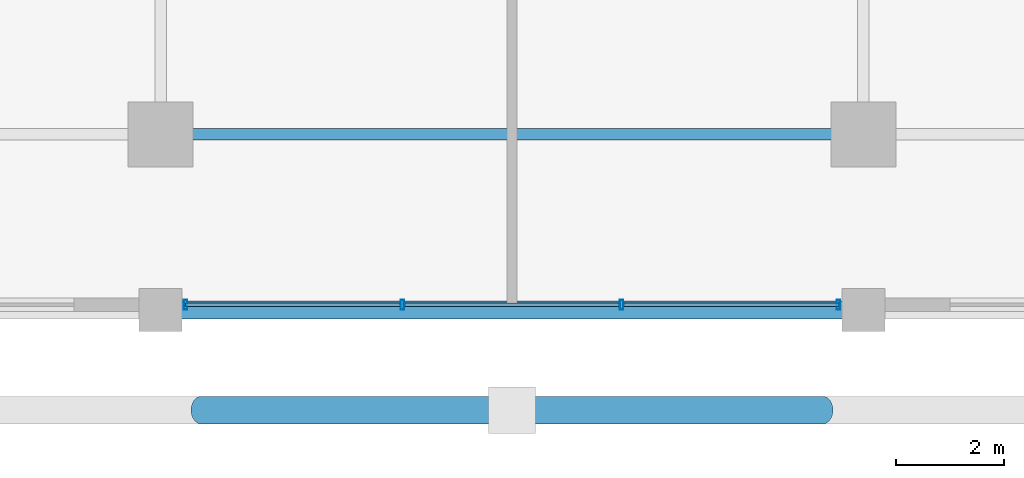
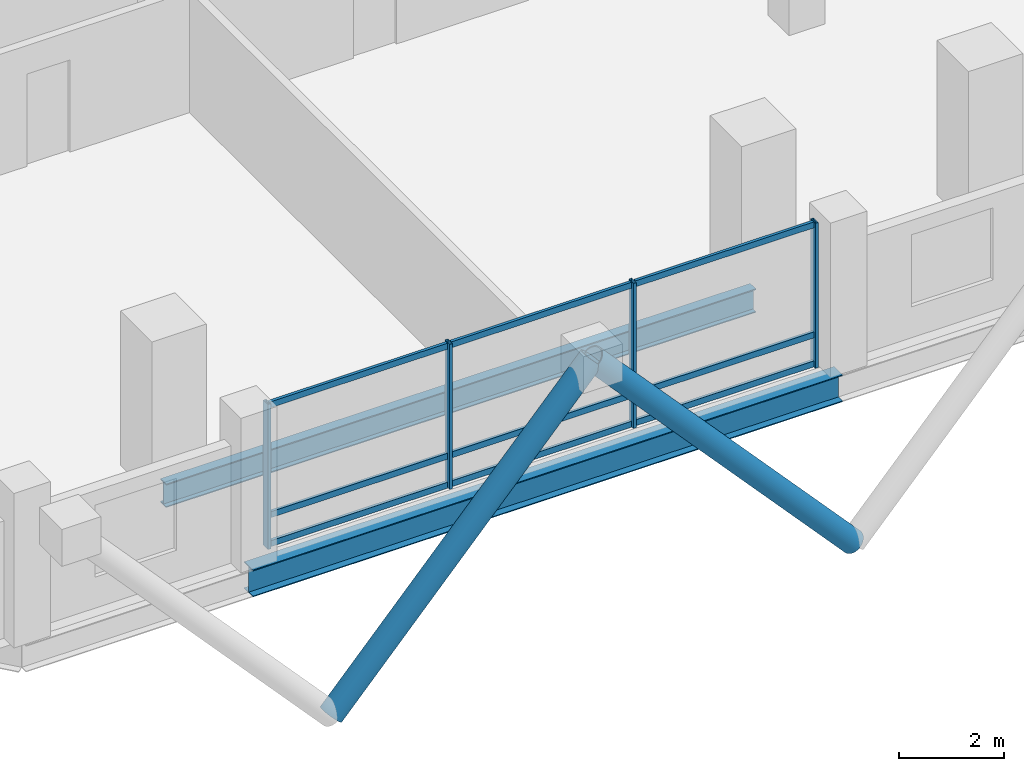
# One storey, part 2 of 22: 15 members, 2 beams, 1 element without a shape of its own.
"""IFC4 building model written with IfcOpenShell, lengths in metres."""

import ifcopenshell
import ifcopenshell.guid

model = None  # the IFC model being written
_history = None  # IfcOwnerHistory: only IFC2X3 demands one
_inside = {}  # id of a spatial element -> (the spatial element, [elements in it])
_under = {}  # id of a project, library or spatial element -> (it, [spatial elements below it])
_declared = {}  # id of a project -> (the project, [libraries it declares])
_typed = {}  # id of a type object -> (the type object, [elements of that type])
_made_of = {}  # id of a material, layer set ... -> (it, [elements and type objects made of it])


def new_model(schema):
    """Start an empty IFC model of exactly this schema.

    Asked for "IFC4X3", IfcOpenShell would pick the latest addendum, in which some entities
    have other attributes; the version numbers below select the first issue.
    IFC2X3 requires an IfcOwnerHistory on every rooted entity: one is made here for all.
    """
    global model, _history
    if schema == "IFC4X3":
        model = ifcopenshell.file(schema_version=(4, 3, 0, 0))
    else:
        model = ifcopenshell.file(schema=schema)
    _inside.clear()
    _under.clear()
    _declared.clear()
    _typed.clear()
    _made_of.clear()
    _history = None
    if model.schema == "IFC2X3":
        org = make("IfcOrganization", Name="unknown")
        user = make(
            "IfcPersonAndOrganization",
            ThePerson=make("IfcPerson", FamilyName="unknown"),
            TheOrganization=org,
        )
        app = make(
            "IfcApplication",
            ApplicationDeveloper=org,
            Version="unknown",
            ApplicationFullName="unknown",
            ApplicationIdentifier="unknown",
        )
        _history = make(
            "IfcOwnerHistory",
            OwningUser=user,
            OwningApplication=app,
            ChangeAction="ADDED",
            CreationDate=0,
        )
    return model


def make(cls, **values):
    """One entity of the class cls with the attributes given. An attribute that is None is left unset."""
    return model.create_entity(
        cls, **{name: value for name, value in values.items() if value is not None}
    )


def rooted(cls, **values):
    """An entity with a GlobalId (a new one), such as an element, a storey or a relation."""
    return make(cls, GlobalId=ifcopenshell.guid.new(), OwnerHistory=_history, **values)


def si_unit(unit_type, name, prefix=None):
    """IfcSIUnit, for example si_unit("LENGTHUNIT", "METRE", prefix="MILLI")."""
    return make("IfcSIUnit", UnitType=unit_type, Prefix=prefix, Name=name)


def assignment(units):
    """IfcUnitAssignment: the units of a project."""
    return None if units is None else make("IfcUnitAssignment", Units=units)


def point(xyz):
    """IfcCartesianPoint."""
    return None if xyz is None else make("IfcCartesianPoint", Coordinates=xyz)


def direction(xyz):
    """IfcDirection."""
    return None if xyz is None else make("IfcDirection", DirectionRatios=xyz)


def frame(location, z_axis=None, x_axis=None):
    """IfcAxis2Placement3D, a coordinate frame: its origin and axes. An axis left out is left unset."""
    return make(
        "IfcAxis2Placement3D",
        Location=point(location),
        Axis=direction(z_axis),
        RefDirection=direction(x_axis),
    )


def frame_2d(location, x_axis=None):
    """IfcAxis2Placement2D, a coordinate frame in the plane: its origin and x axis."""
    return make(
        "IfcAxis2Placement2D", Location=point(location), RefDirection=direction(x_axis)
    )


def origin():
    """The frame at (0, 0, 0) with its axes left unset."""
    return frame((0.0, 0.0, 0.0))


def origin_2d():
    """The frame at (0, 0) in the plane with its x axis left unset."""
    return frame_2d((0.0, 0.0))


def place(relative_to, where):
    """IfcLocalPlacement: puts the frame where relative to a parent placement (None: the world)."""
    return make(
        "IfcLocalPlacement", PlacementRelTo=relative_to, RelativePlacement=where
    )


def context(
    kind, dimensions, precision=None, world=None, true_north=None, identifier=None
):
    """IfcGeometricRepresentationContext, for example the 3D "Model" context."""
    return make(
        "IfcGeometricRepresentationContext",
        ContextIdentifier=identifier,
        ContextType=kind,
        CoordinateSpaceDimension=dimensions,
        Precision=precision,
        WorldCoordinateSystem=world,
        TrueNorth=true_north,
    )


def subcontext(parent, identifier, kind, view, scale=None):
    """IfcGeometricRepresentationSubContext, for example "Body" below "Model"."""
    return make(
        "IfcGeometricRepresentationSubContext",
        ContextIdentifier=identifier,
        ContextType=kind,
        ParentContext=parent,
        TargetScale=scale,
        TargetView=view,
    )


def project(units=None, contexts=None):
    """IfcProject with its units and contexts."""
    return rooted(
        "IfcProject",
        Name="project",
        RepresentationContexts=contexts,
        UnitsInContext=assignment(units),
    )


def spatial(cls, under=None, at=None, **own):
    """A site, building, storey or space (cls), placed at a placement, below another one or the project."""
    s = rooted(cls, ObjectPlacement=at, **own)
    if under is not None:
        _under.setdefault(under.id(), (under, []))[1].append(s)
    return s


def profile(cls, at=None, kind="AREA", **sizes):
    """A parametric profile (cls). Its sizes go by their IFC names, for example OverallWidth=200.0."""
    return make(cls, ProfileType=kind, Position=at, **sizes)


def hollow_rectangle(**sizes):
    """IfcRectangleHollowProfileDef."""
    return profile("IfcRectangleHollowProfileDef", **sizes)


def hollow_circle(**sizes):
    """IfcCircleHollowProfileDef."""
    return profile("IfcCircleHollowProfileDef", **sizes)


def i_section(**sizes):
    """IfcIShapeProfileDef."""
    return profile("IfcIShapeProfileDef", **sizes)


def extrude(swept, where, along, depth):
    """IfcExtrudedAreaSolid: the profile swept, set in the frame where, extruded along a direction by depth."""
    return make(
        "IfcExtrudedAreaSolid",
        SweptArea=swept,
        Position=where,
        ExtrudedDirection=direction(along),
        Depth=depth,
    )


def shape(context_of_items, identifier, shape_type, items):
    """IfcShapeRepresentation: the items that make up one representation, for example the "Body"."""
    return make(
        "IfcShapeRepresentation",
        ContextOfItems=context_of_items,
        RepresentationIdentifier=identifier,
        RepresentationType=shape_type,
        Items=items,
    )


def material(Name=None, Category=None):
    """IfcMaterial."""
    return make("IfcMaterial", Name=Name, Category=Category)


def layer(
    of_material, thickness, ventilated=None, Name=None, Category=None, Priority=None
):
    """IfcMaterialLayer: one layer of a wall or slab, of a material (None: an air gap)."""
    return make(
        "IfcMaterialLayer",
        Material=of_material,
        LayerThickness=thickness,
        IsVentilated=ventilated,
        Name=Name,
        Category=Category,
        Priority=Priority,
    )


def layer_set(layers, Name=None):
    """IfcMaterialLayerSet."""
    return make("IfcMaterialLayerSet", MaterialLayers=layers, LayerSetName=Name)


def material_profile(
    of_material, cross_section, Name=None, Category=None, Priority=None
):
    """IfcMaterialProfile: a cross section and its material."""
    return make(
        "IfcMaterialProfile",
        Name=Name,
        Material=of_material,
        Profile=cross_section,
        Priority=Priority,
        Category=Category,
    )


def profile_set(profiles, Name=None, composite=None):
    """IfcMaterialProfileSet."""
    return make(
        "IfcMaterialProfileSet",
        Name=Name,
        MaterialProfiles=profiles,
        CompositeProfile=composite,
    )


def made_of(thing, what):
    """Note that an element or type object is made of a material, layer set ...; save() writes the relation."""
    if what is not None:
        _made_of.setdefault(what.id(), (what, []))[1].append(thing)
    return thing


def type_object(cls, material=None, **own):
    """A type object (cls), such as IfcWallType, which elements share."""
    return made_of(rooted(cls, **own), material)


def element(
    cls,
    number,
    at=None,
    inside=None,
    cuts=None,
    type_object=None,
    material=None,
    context=None,
    identifier="Body",
    shape_type=None,
    held_by="IfcProductDefinitionShape",
    body=None,
    shapes=None,
    **own,
):
    """One element of the class cls, such as IfcWall. Its Tag is "e" and its number.

    at: its placement. inside: the storey or other place that contains it. cuts: it is an
    opening in that element (IfcRelVoidsElement). A single representation is given by context,
    identifier, shape_type and body (its items); several are given by shapes. held_by: the class
    of the entity that holds the representations. save() writes the other relations.
    """
    e = rooted(cls, Tag="e%d" % number, ObjectPlacement=at, **own)
    if body is not None:
        shapes = [shape(context, identifier, shape_type, body)]
    if shapes is not None:
        e.Representation = make(held_by, Representations=shapes)
    if inside is not None:
        _inside.setdefault(inside.id(), (inside, []))[1].append(e)
    if cuts is not None:
        rooted(
            "IfcRelVoidsElement", RelatingBuildingElement=cuts, RelatedOpeningElement=e
        )
    if type_object is not None:
        _typed.setdefault(type_object.id(), (type_object, []))[1].append(e)
    return made_of(e, material)


def aggregate(whole, parts):
    """IfcRelAggregates: a whole, such as a stair, and the parts it consists of."""
    return rooted("IfcRelAggregates", RelatingObject=whole, RelatedObjects=parts)


def save(model, path):
    """Write the relations noted so far, then the file.

    IfcRelAggregates (storeys below a building ...), IfcRelContainedInSpatialStructure (elements
    in a storey), IfcRelDefinesByType, IfcRelAssociatesMaterial and IfcRelDeclares: one each for
    every whole, place, type object, material and project.
    """
    for whole, parts in _under.values():
        aggregate(whole, parts)
    for where, things in _inside.values():
        rooted(
            "IfcRelContainedInSpatialStructure",
            RelatedElements=things,
            RelatingStructure=where,
        )
    for kind, things in _typed.values():
        rooted("IfcRelDefinesByType", RelatedObjects=things, RelatingType=kind)
    for what, things in _made_of.values():
        rooted("IfcRelAssociatesMaterial", RelatedObjects=things, RelatingMaterial=what)
    for by, libraries in _declared.values():
        rooted("IfcRelDeclares", RelatingContext=by, RelatedDefinitions=libraries)
    model.write(path)


model = new_model("IFC4")

# Units and contexts
model_context = context("Model", 3, precision=1e-05, world=origin(), true_north=direction((0.0, 1.0)))
body_context = subcontext(model_context, "Body", "Model", "MODEL_VIEW")
ifc_project = project(units=[si_unit("LENGTHUNIT", "METRE"), si_unit("AREAUNIT", "SQUARE_METRE"), si_unit("VOLUMEUNIT", "CUBIC_METRE"), si_unit("PLANEANGLEUNIT", "RADIAN"), si_unit("MASSUNIT", "GRAM", prefix="KILO")], contexts=[model_context])

# Site, building, storey
site_placement = place(None, origin())
site = spatial("IfcSite", under=ifc_project, at=site_placement, CompositionType="ELEMENT")
building_placement = place(site_placement, origin())
building = spatial("IfcBuilding", under=site, at=building_placement, Name="Barlavira Tower and Art Museum", CompositionType="ELEMENT")
storey_placement = place(building_placement, frame((0.0, 0.0, 129.60009765625)))
storey = spatial("IfcBuildingStorey", under=building, at=storey_placement, Name="L32", CompositionType="ELEMENT", Elevation=129.60009765625)

# Curtain wall, members
ifc_material_1 = material(Name="Low-iron coastal laminated glass", Category="glass")
ifc_layer = layer(ifc_material_1, 0.18994140625, Name="Low-iron coastal laminated glass")
ifc_layer_set = layer_set([ifc_layer], Name="Low-iron coastal laminated glass")
curtain_wall_type = type_object("IfcCurtainWallType", Name="Pale-Metal Unitised Curtain Wall Zone 2", PredefinedType="NOTDEFINED", material=ifc_layer_set)
curtain_wall_placement = place(storey_placement, origin())
curtain_wall = element("IfcCurtainWall", 1, at=curtain_wall_placement, inside=storey, type_object=curtain_wall_type, Name="L32 Curtain Wall CW2-L32-S-B3", PredefinedType="NOTDEFINED")
ifc_material_2 = material(Name="Pale anodised aluminium", Category="aluminium")
ifc_material_profile_1 = material_profile(ifc_material_2, hollow_rectangle(XDim=0.06494140625, YDim=0.179931640625, WallThickness=0.00390625, at=origin_2d()), Name="ALU-MULL 65x180x4")
ifc_profile_set_1 = profile_set([ifc_material_profile_1], Name="Pale anodised aluminium")
member_type_1 = type_object("IfcMemberType", Name="Curtain Wall Pale-Metal Mullion 65x180", PredefinedType="MULLION", material=ifc_profile_set_1)
member_1_placement = place(storey_placement, frame((-6.034912109375, -23.14990234375, 0.0), z_axis=(0.0, 0.0, 1.0), x_axis=(1.0, 0.0, 0.0)))
member_1 = element("IfcMember", 2, at=member_1_placement, type_object=member_type_1, Name="CW2-L32-S-B3 Mullion 0", PredefinedType="MULLION", context=body_context, shape_type="SweptSolid", body=[
    extrude(hollow_rectangle(XDim=0.06494140625, YDim=0.179931640625, WallThickness=0.00390625, at=origin_2d()), origin(), (0.0, 0.0, 1.0), 3.3798828125),
])
member_2_placement = place(storey_placement, frame((-2.026611328125, -23.14990234375, 0.0), z_axis=(0.0, 0.0, 1.0), x_axis=(1.0, 0.0, 0.0)))
member_2 = element("IfcMember", 3, at=member_2_placement, type_object=member_type_1, Name="CW2-L32-S-B3 Mullion 1", PredefinedType="MULLION", context=body_context, shape_type="SweptSolid", body=[
    extrude(hollow_rectangle(XDim=0.06494140625, YDim=0.179931640625, WallThickness=0.00390625, at=origin_2d()), origin(), (0.0, 0.0, 1.0), 3.3798828125),
])
member_3_placement = place(storey_placement, frame((2.026611328125, -23.14990234375, 0.0), z_axis=(0.0, 0.0, 1.0), x_axis=(1.0, 0.0, 0.0)))
member_3 = element("IfcMember", 4, at=member_3_placement, type_object=member_type_1, Name="CW2-L32-S-B3 Mullion 2", PredefinedType="MULLION", context=body_context, shape_type="SweptSolid", body=[
    extrude(hollow_rectangle(XDim=0.06494140625, YDim=0.179931640625, WallThickness=0.00390625, at=origin_2d()), origin(), (0.0, 0.0, 1.0), 3.3798828125),
])
member_4_placement = place(storey_placement, frame((6.034912109375, -23.14990234375, 0.0), z_axis=(0.0, 0.0, 1.0), x_axis=(1.0, 0.0, 0.0)))
member_4 = element("IfcMember", 5, at=member_4_placement, type_object=member_type_1, Name="CW2-L32-S-B3 Mullion 3", PredefinedType="MULLION", context=body_context, shape_type="SweptSolid", body=[
    extrude(hollow_rectangle(XDim=0.06494140625, YDim=0.179931640625, WallThickness=0.00390625, at=origin_2d()), origin(), (0.0, 0.0, 1.0), 3.3798828125),
])
ifc_material_profile_2 = material_profile(ifc_material_2, hollow_rectangle(XDim=0.06494140625, YDim=0.139892578125, WallThickness=0.00390625, at=origin_2d()), Name="ALU-TRAN 65x140x4")
ifc_profile_set_2 = profile_set([ifc_material_profile_2], Name="Pale anodised aluminium")
member_type_2 = type_object("IfcMemberType", Name="Curtain Wall Pale-Metal Transom 65x140", PredefinedType="USERDEFINED", material=ifc_profile_set_2)
member_5_placement = place(storey_placement, frame((-6.034912109375, -23.14990234375, 0.06982421875), z_axis=(1.0, 0.0, 0.0), x_axis=(0.0, 1.0, 0.0)))
member_5 = element("IfcMember", 6, at=member_5_placement, type_object=member_type_2, Name="CW2-L32-S-B3 Transom 0.1", ObjectType="TRANSOM", PredefinedType="USERDEFINED", context=body_context, shape_type="SweptSolid", body=[
    extrude(hollow_rectangle(XDim=0.06494140625, YDim=0.139892578125, WallThickness=0.00390625, at=origin_2d()), origin(), (0.0, 0.0, 1.0), 3.963134765625),
])
member_6_placement = place(storey_placement, frame((-6.034912109375, -23.14990234375, 0.743896484375), z_axis=(1.0, 0.0, 0.0), x_axis=(0.0, 1.0, 0.0)))
member_6 = element("IfcMember", 7, at=member_6_placement, type_object=member_type_2, Name="CW2-L32-S-B3 Transom 0.2", ObjectType="TRANSOM", PredefinedType="USERDEFINED", context=body_context, shape_type="SweptSolid", body=[
    extrude(hollow_rectangle(XDim=0.06494140625, YDim=0.139892578125, WallThickness=0.00390625, at=origin_2d()), origin(), (0.0, 0.0, 1.0), 3.963134765625),
])
member_7_placement = place(storey_placement, frame((-6.034912109375, -23.14990234375, 3.309814453125), z_axis=(1.0, 0.0, 0.0), x_axis=(0.0, 1.0, 0.0)))
member_7 = element("IfcMember", 8, at=member_7_placement, type_object=member_type_2, Name="CW2-L32-S-B3 Transom 0.3", ObjectType="TRANSOM", PredefinedType="USERDEFINED", context=body_context, shape_type="SweptSolid", body=[
    extrude(hollow_rectangle(XDim=0.06494140625, YDim=0.139892578125, WallThickness=0.00390625, at=origin_2d()), origin(), (0.0, 0.0, 1.0), 3.963134765625),
])
member_8_placement = place(storey_placement, frame((-1.981689453125, -23.14990234375, 0.06982421875), z_axis=(1.0, 0.0, 0.0), x_axis=(0.0, 1.0, 0.0)))
member_8 = element("IfcMember", 9, at=member_8_placement, type_object=member_type_2, Name="CW2-L32-S-B3 Transom 1.1", ObjectType="TRANSOM", PredefinedType="USERDEFINED", context=body_context, shape_type="SweptSolid", body=[
    extrude(hollow_rectangle(XDim=0.06494140625, YDim=0.139892578125, WallThickness=0.00390625, at=origin_2d()), origin(), (0.0, 0.0, 1.0), 3.96337890625),
])
member_9_placement = place(storey_placement, frame((-1.981689453125, -23.14990234375, 0.743896484375), z_axis=(1.0, 0.0, 0.0), x_axis=(0.0, 1.0, 0.0)))
member_9 = element("IfcMember", 10, at=member_9_placement, type_object=member_type_2, Name="CW2-L32-S-B3 Transom 1.2", ObjectType="TRANSOM", PredefinedType="USERDEFINED", context=body_context, shape_type="SweptSolid", body=[
    extrude(hollow_rectangle(XDim=0.06494140625, YDim=0.139892578125, WallThickness=0.00390625, at=origin_2d()), origin(), (0.0, 0.0, 1.0), 3.96337890625),
])
member_10_placement = place(storey_placement, frame((-1.981689453125, -23.14990234375, 3.309814453125), z_axis=(1.0, 0.0, 0.0), x_axis=(0.0, 1.0, 0.0)))
member_10 = element("IfcMember", 11, at=member_10_placement, type_object=member_type_2, Name="CW2-L32-S-B3 Transom 1.3", ObjectType="TRANSOM", PredefinedType="USERDEFINED", context=body_context, shape_type="SweptSolid", body=[
    extrude(hollow_rectangle(XDim=0.06494140625, YDim=0.139892578125, WallThickness=0.00390625, at=origin_2d()), origin(), (0.0, 0.0, 1.0), 3.96337890625),
])
member_11_placement = place(storey_placement, frame((2.07177734375, -23.14990234375, 0.06982421875), z_axis=(1.0, 0.0, 0.0), x_axis=(0.0, 1.0, 0.0)))
member_11 = element("IfcMember", 12, at=member_11_placement, type_object=member_type_2, Name="CW2-L32-S-B3 Transom 2.1", ObjectType="TRANSOM", PredefinedType="USERDEFINED", context=body_context, shape_type="SweptSolid", body=[
    extrude(hollow_rectangle(XDim=0.06494140625, YDim=0.139892578125, WallThickness=0.00390625, at=origin_2d()), origin(), (0.0, 0.0, 1.0), 3.963134765625),
])
member_12_placement = place(storey_placement, frame((2.07177734375, -23.14990234375, 0.743896484375), z_axis=(1.0, 0.0, 0.0), x_axis=(0.0, 1.0, 0.0)))
member_12 = element("IfcMember", 13, at=member_12_placement, type_object=member_type_2, Name="CW2-L32-S-B3 Transom 2.2", ObjectType="TRANSOM", PredefinedType="USERDEFINED", context=body_context, shape_type="SweptSolid", body=[
    extrude(hollow_rectangle(XDim=0.06494140625, YDim=0.139892578125, WallThickness=0.00390625, at=origin_2d()), origin(), (0.0, 0.0, 1.0), 3.963134765625),
])
member_13_placement = place(storey_placement, frame((2.07177734375, -23.14990234375, 3.309814453125), z_axis=(1.0, 0.0, 0.0), x_axis=(0.0, 1.0, 0.0)))
member_13 = element("IfcMember", 14, at=member_13_placement, type_object=member_type_2, Name="CW2-L32-S-B3 Transom 2.3", ObjectType="TRANSOM", PredefinedType="USERDEFINED", context=body_context, shape_type="SweptSolid", body=[
    extrude(hollow_rectangle(XDim=0.06494140625, YDim=0.139892578125, WallThickness=0.00390625, at=origin_2d()), origin(), (0.0, 0.0, 1.0), 3.963134765625),
])
aggregate(curtain_wall, [member_1, member_2, member_3, member_4, member_5, member_6, member_7, member_8, member_9, member_10, member_11, member_12, member_13])

# Members
ifc_material_3 = material(Name="Steel S355", Category="steel")
ifc_material_profile_3 = material_profile(ifc_material_3, hollow_circle(Radius=0.25390625, WallThickness=0.022216796875, at=origin_2d()), Name="CHS 508.0x22.2")
ifc_profile_set_3 = profile_set([ifc_material_profile_3], Name="Steel S355")
member_type_3 = type_object("IfcMemberType", Name="Pale-Metal Exoskeleton Diagrid Tube CHS 508x22 Steel S355", PredefinedType="BRACE", material=ifc_profile_set_3)
for number, where, z_axis, x_axis, name in (
    (15, (-5.75, -25.10009765625, -2.820068359375), (0.67412750573, 0.0, 0.738614991736), (0.0, 1.0, 0.0), "L32 Exoskeleton Diagrid Tube S"),
    (16, (5.75, -25.10009765625, -2.820068359375), (-0.67412750573, 0.0, 0.738614991736), (0.0, -1.0, 0.0), "L32 Exoskeleton Diagrid Tube S"),
):
    element("IfcMember", number, at=place(storey_placement, frame(where, z_axis=z_axis, x_axis=x_axis)), inside=storey, type_object=member_type_3, Name=name, PredefinedType="BRACE", context=body_context, shape_type="SweptSolid", body=[
        extrude(hollow_circle(Radius=0.25390625, WallThickness=0.022216796875, at=origin_2d()), origin(), (0.0, 0.0, 1.0), 8.529541015625),
    ])

# Beams
ifc_material_profile_4 = material_profile(ifc_material_3, i_section(OverallWidth=0.327880859375, OverallDepth=0.62890625, WebThickness=0.013916015625, FlangeThickness=0.021484375, at=origin_2d()), Name="W610x174.0")
ifc_profile_set_4 = profile_set([ifc_material_profile_4], Name="Steel S355")
beam_type_1 = type_object("IfcBeamType", Name="Perimeter Spandrel Edge Beam W610x174 Steel S355", PredefinedType="SPANDREL", material=ifc_profile_set_4)
beam_1_placement = place(storey_placement, frame((-6.5, -23.25, -0.53466796875), z_axis=(1.0, 0.0, 0.0), x_axis=(0.0, 1.0, 0.0)))
element("IfcBeam", 17, at=beam_1_placement, inside=storey, type_object=beam_type_1, Name="L32 Spandrel 2", PredefinedType="SPANDREL", context=body_context, shape_type="SweptSolid", body=[
    extrude(i_section(OverallWidth=0.327880859375, OverallDepth=0.62890625, WebThickness=0.013916015625, FlangeThickness=0.021484375, at=origin_2d()), origin(), (0.0, 0.0, 1.0), 13.0),
])
ifc_material_profile_5 = material_profile(ifc_material_3, i_section(OverallWidth=0.214111328125, OverallDepth=0.549072265625, WebThickness=0.0146484375, FlangeThickness=0.023681640625, at=origin_2d()), Name="W530x138.0")
ifc_profile_set_5 = profile_set([ifc_material_profile_5], Name="Steel S355")
beam_type_2 = type_object("IfcBeamType", Name="Zone 1 Primary Floor Girder W530x138 Steel S355", PredefinedType="BEAM", material=ifc_profile_set_5)
beam_2_placement = place(storey_placement, frame((-6.5, -20.0, -0.49462890625), z_axis=(1.0, 0.0, 0.0), x_axis=(0.0, 1.0, 0.0)))
element("IfcBeam", 18, at=beam_2_placement, inside=storey, type_object=beam_type_2, Name="L32 Girder M-S2", PredefinedType="BEAM", context=body_context, shape_type="SweptSolid", body=[
    extrude(i_section(OverallWidth=0.214111328125, OverallDepth=0.549072265625, WebThickness=0.0146484375, FlangeThickness=0.023681640625, at=origin_2d()), origin(), (0.0, 0.0, 1.0), 13.0),
])

save(model, "model.ifc")
